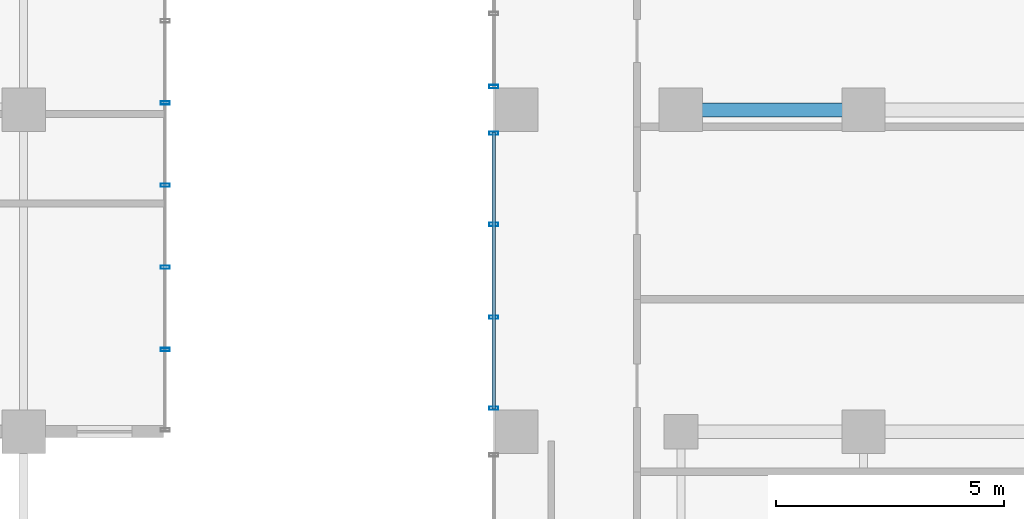
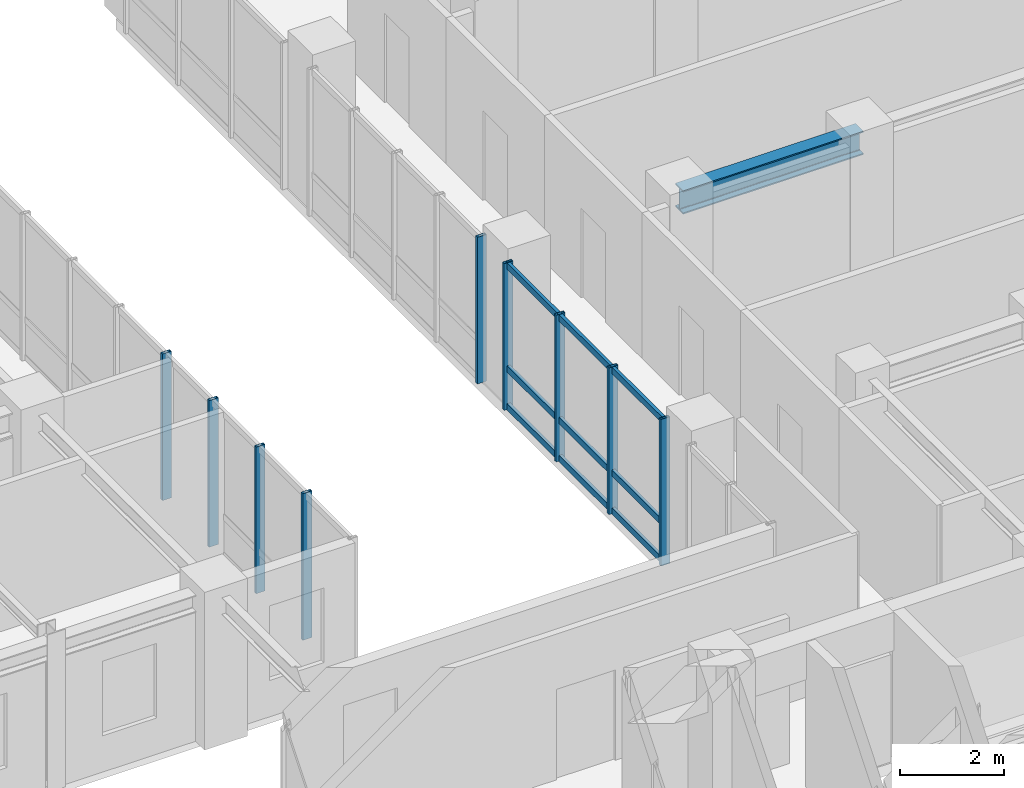
# One storey, part 9 of 24: 12 members, 1 beam, 3 elements without a shape of their own.
"""IFC4 building model written with IfcOpenShell, lengths in metres."""

from ifc_helpers import new_model, si_unit, direction, frame, origin, origin_2d, place, context, subcontext, project, spatial, hollow_rectangle, i_section, extrude, source, transform, mapped, material, layer, layer_set, material_profile, profile_set, type_object, element, aggregate, save


model = new_model("IFC4")

# Units and contexts
model_context = context("Model", 3, precision=1e-05, world=origin(), true_north=direction((0.0, 1.0)))
body_context = subcontext(model_context, "Body", "Model", "MODEL_VIEW")
ifc_project = project(units=[si_unit("LENGTHUNIT", "METRE"), si_unit("AREAUNIT", "SQUARE_METRE"), si_unit("VOLUMEUNIT", "CUBIC_METRE"), si_unit("PLANEANGLEUNIT", "RADIAN"), si_unit("MASSUNIT", "GRAM", prefix="KILO")], contexts=[model_context])

# Site, building, storey
site_placement = place(None, origin())
site = spatial("IfcSite", under=ifc_project, at=site_placement, CompositionType="ELEMENT")
building_placement = place(site_placement, origin())
building = spatial("IfcBuilding", under=site, at=building_placement, Name="Kaliganga Portal Commons", CompositionType="ELEMENT")
storey_placement = place(building_placement, frame((0.0, 0.0, 242.5)))
storey = spatial("IfcBuildingStorey", under=building, at=storey_placement, Name="L62", CompositionType="ELEMENT", Elevation=242.5)

# Beam
ifc_material_1 = material(Name="Structural steel S355J2", Category="steel")
ifc_material_profile_1 = material_profile(ifc_material_1, i_section(OverallWidth=0.300048828125, OverallDepth=0.550048828125, WebThickness=0.014892578125, FlangeThickness=0.029052734375, FilletRadius=0.027099609375, at=origin_2d()), Name="HE 550 B")
ifc_profile_set_1 = profile_set([ifc_material_profile_1], Name="Structural steel S355J2 wide-flange")
beam_type = type_object("IfcBeamType", Name="BM-GIRD-550", PredefinedType="USERDEFINED", material=ifc_profile_set_1)
shared_shape_1 = source(origin(), body_context, "Body", "SweptSolid", [
    extrude(i_section(OverallWidth=0.300048828125, OverallDepth=0.550048828125, WebThickness=0.014892578125, FlangeThickness=0.029052734375, FilletRadius=0.027099609375, at=origin_2d()), origin(), (0.0, 0.0, 1.0), 4.0),
])
beam_placement = place(storey_placement, frame((50.39990234375, 28.64990234375, 3.1650390625), z_axis=(1.0, 0.0, 0.0), x_axis=(0.0, 1.0, 0.0)))
element("IfcBeam", 1, at=beam_placement, inside=storey, type_object=beam_type, Name="BM G L62 BKE286 1", ObjectType="GIRDER", PredefinedType="USERDEFINED", context=body_context, shape_type="MappedRepresentation", body=[
    mapped(shared_shape_1, transform((0.0, 0.0, 0.0), x_axis=(1.0, 0.0, 0.0), y_axis=(0.0, 1.0, 0.0), z_axis=(0.0, 0.0, 1.0), scale=1.0)),
])

# Curtain wall, members
ifc_material_2 = material(Name="Anodized Aluminium and Laminated Low-E Glass", Category="aluminium")
ifc_layer = layer(ifc_material_2, 0.239990234375)
ifc_layer_set = layer_set([ifc_layer], Name="Anodized Aluminium and Laminated Low-E Glass")
curtain_wall_type = type_object("IfcCurtainWallType", Name="CW-SYS-04", PredefinedType="NOTDEFINED", material=ifc_layer_set)
curtain_wall_1_placement = place(storey_placement, origin())
curtain_wall_1 = element("IfcCurtainWall", 2, at=curtain_wall_1_placement, inside=storey, type_object=curtain_wall_type, Name="CW 04 L62 P1E01S1", PredefinedType="NOTDEFINED")
ifc_material_3 = material(Name="Dark Bronze Anodized Aluminium", Category="aluminium")
ifc_material_profile_2 = material_profile(ifc_material_3, hollow_rectangle(XDim=0.070068359375, YDim=0.199951171875, WallThickness=0.00390625, at=origin_2d()), Name="ALU MULL 70x200x4")
ifc_profile_set_2 = profile_set([ifc_material_profile_2], Name="Dark Bronze Anodized Aluminium")
member_type_1 = type_object("IfcMemberType", Name="CW-MUL-220", PredefinedType="MULLION", material=ifc_profile_set_2)
shared_shape_2 = source(origin(), body_context, "Body", "SweptSolid", [
    extrude(hollow_rectangle(XDim=0.070068359375, YDim=0.199951171875, WallThickness=0.00390625, at=origin_2d()), origin(), (0.0, 0.0, 1.0), 3.43994140625),
])
member_1_placement = place(storey_placement, frame((39.10009765625, 23.39990234375, 0.0), z_axis=(0.0, 0.0, 1.0), x_axis=(0.0, 1.0, 0.0)))
member_1 = element("IfcMember", 3, at=member_1_placement, type_object=member_type_1, Name="CW:04:L62:P1E01S1 Mullion 01", PredefinedType="MULLION", context=body_context, shape_type="MappedRepresentation", body=[
    mapped(shared_shape_2, transform((0.0, 0.0, 0.0), x_axis=(1.0, 0.0, 0.0), y_axis=(0.0, 1.0, 0.0), z_axis=(0.0, 0.0, 1.0), scale=1.0)),
])
member_2_placement = place(storey_placement, frame((39.10009765625, 25.199951171875, 0.0), z_axis=(0.0, 0.0, 1.0), x_axis=(0.0, 1.0, 0.0)))
member_2 = element("IfcMember", 4, at=member_2_placement, type_object=member_type_1, Name="CW:04:L62:P1E01S1 Mullion 02", PredefinedType="MULLION", context=body_context, shape_type="MappedRepresentation", body=[
    mapped(shared_shape_2, transform((0.0, 0.0, 0.0), x_axis=(1.0, 0.0, 0.0), y_axis=(0.0, 1.0, 0.0), z_axis=(0.0, 0.0, 1.0), scale=1.0)),
])
member_3_placement = place(storey_placement, frame((39.10009765625, 27.0, 0.0), z_axis=(0.0, 0.0, 1.0), x_axis=(0.0, 1.0, 0.0)))
member_3 = element("IfcMember", 5, at=member_3_placement, type_object=member_type_1, Name="CW:04:L62:P1E01S1 Mullion 03", PredefinedType="MULLION", context=body_context, shape_type="MappedRepresentation", body=[
    mapped(shared_shape_2, transform((0.0, 0.0, 0.0), x_axis=(1.0, 0.0, 0.0), y_axis=(0.0, 1.0, 0.0), z_axis=(0.0, 0.0, 1.0), scale=1.0)),
])
member_4_placement = place(storey_placement, frame((39.10009765625, 28.800048828125, 0.0), z_axis=(0.0, 0.0, 1.0), x_axis=(0.0, 1.0, 0.0)))
member_4 = element("IfcMember", 6, at=member_4_placement, type_object=member_type_1, Name="CW:04:L62:P1E01S1 Mullion 04", PredefinedType="MULLION", context=body_context, shape_type="MappedRepresentation", body=[
    mapped(shared_shape_2, transform((0.0, 0.0, 0.0), x_axis=(1.0, 0.0, 0.0), y_axis=(0.0, 1.0, 0.0), z_axis=(0.0, 0.0, 1.0), scale=1.0)),
])
aggregate(curtain_wall_1, [member_1, member_2, member_3, member_4])

# Curtain wall, member
curtain_wall_2_placement = place(storey_placement, origin())
curtain_wall_2 = element("IfcCurtainWall", 7, at=curtain_wall_2_placement, inside=storey, type_object=curtain_wall_type, Name="CW 04 L62 P2E07S2", PredefinedType="NOTDEFINED")
member_5_placement = place(storey_placement, frame((46.300048828125, 29.160888671875, 0.0), z_axis=(0.0, 0.0, 1.0), x_axis=(0.0, -1.0, 0.0)))
member_5 = element("IfcMember", 8, at=member_5_placement, type_object=member_type_1, Name="CW:04:L62:P2E07S2 Mullion 04", PredefinedType="MULLION", context=body_context, shape_type="MappedRepresentation", body=[
    mapped(shared_shape_2, transform((0.0, 0.0, 0.0), x_axis=(1.0, 0.0, 0.0), y_axis=(0.0, 1.0, 0.0), z_axis=(0.0, 0.0, 1.0), scale=1.0)),
])
aggregate(curtain_wall_2, [member_5])

# Curtain wall, members
curtain_wall_3_placement = place(storey_placement, origin())
curtain_wall_3 = element("IfcCurtainWall", 9, at=curtain_wall_3_placement, inside=storey, type_object=curtain_wall_type, Name="CW 04 L62 P2E07S3", PredefinedType="NOTDEFINED")
member_6_placement = place(storey_placement, frame((46.300048828125, 28.138916015625, 0.0), z_axis=(0.0, 0.0, 1.0), x_axis=(0.0, -1.0, 0.0)))
member_6 = element("IfcMember", 10, at=member_6_placement, type_object=member_type_1, Name="CW:04:L62:P2E07S3 Mullion 00", PredefinedType="MULLION", context=body_context, shape_type="MappedRepresentation", body=[
    mapped(shared_shape_2, transform((0.0, 0.0, 0.0), x_axis=(1.0, 0.0, 0.0), y_axis=(0.0, 1.0, 0.0), z_axis=(0.0, 0.0, 1.0), scale=1.0)),
])
member_7_placement = place(storey_placement, frame((46.300048828125, 26.141357421875, 0.0), z_axis=(0.0, 0.0, 1.0), x_axis=(0.0, -1.0, 0.0)))
member_7 = element("IfcMember", 11, at=member_7_placement, type_object=member_type_1, Name="CW:04:L62:P2E07S3 Mullion 01", PredefinedType="MULLION", context=body_context, shape_type="MappedRepresentation", body=[
    mapped(shared_shape_2, transform((0.0, 0.0, 0.0), x_axis=(1.0, 0.0, 0.0), y_axis=(0.0, 1.0, 0.0), z_axis=(0.0, 0.0, 1.0), scale=1.0)),
])
member_8_placement = place(storey_placement, frame((46.300048828125, 24.108642578125, 0.0), z_axis=(0.0, 0.0, 1.0), x_axis=(0.0, -1.0, 0.0)))
member_8 = element("IfcMember", 12, at=member_8_placement, type_object=member_type_1, Name="CW:04:L62:P2E07S3 Mullion 02", PredefinedType="MULLION", context=body_context, shape_type="MappedRepresentation", body=[
    mapped(shared_shape_2, transform((0.0, 0.0, 0.0), x_axis=(1.0, 0.0, 0.0), y_axis=(0.0, 1.0, 0.0), z_axis=(0.0, 0.0, 1.0), scale=1.0)),
])
member_9_placement = place(storey_placement, frame((46.300048828125, 22.111083984375, 0.0), z_axis=(0.0, 0.0, 1.0), x_axis=(0.0, -1.0, 0.0)))
member_9 = element("IfcMember", 13, at=member_9_placement, type_object=member_type_1, Name="CW:04:L62:P2E07S3 Mullion 03", PredefinedType="MULLION", context=body_context, shape_type="MappedRepresentation", body=[
    mapped(shared_shape_2, transform((0.0, 0.0, 0.0), x_axis=(1.0, 0.0, 0.0), y_axis=(0.0, 1.0, 0.0), z_axis=(0.0, 0.0, 1.0), scale=1.0)),
])
ifc_material_profile_3 = material_profile(ifc_material_3, hollow_rectangle(XDim=0.070068359375, YDim=0.14990234375, WallThickness=0.00341796875, at=origin_2d()), Name="ALU TRAN 70x150x3.5")
ifc_profile_set_3 = profile_set([ifc_material_profile_3], Name="Dark Bronze Anodized Aluminium")
member_type_2 = type_object("IfcMemberType", Name="CW-TRN-150", PredefinedType="USERDEFINED", material=ifc_profile_set_3)
shared_shape_3 = source(origin(), body_context, "Body", "SweptSolid", [
    extrude(hollow_rectangle(XDim=0.070068359375, YDim=0.14990234375, WallThickness=0.00341796875, at=origin_2d()), origin(), (0.0, 0.0, 1.0), 6.05810546875),
])
member_10_placement = place(storey_placement, frame((46.300048828125, 28.154052734375, 0.06005859375), z_axis=(0.0, -1.0, 0.0), x_axis=(1.0, 0.0, 0.0)))
member_10 = element("IfcMember", 14, at=member_10_placement, type_object=member_type_2, Name="CW:04:L62:P2E07S3 Transom 1", ObjectType="TRANSOM", PredefinedType="USERDEFINED", context=body_context, shape_type="MappedRepresentation", body=[
    mapped(shared_shape_3, transform((0.0, 0.0, 0.0), x_axis=(1.0, 0.0, 0.0), y_axis=(0.0, 1.0, 0.0), z_axis=(0.0, 0.0, 1.0), scale=1.0)),
])
member_11_placement = place(storey_placement, frame((46.300048828125, 28.154052734375, 0.949951171875), z_axis=(0.0, -1.0, 0.0), x_axis=(1.0, 0.0, 0.0)))
member_11 = element("IfcMember", 15, at=member_11_placement, type_object=member_type_2, Name="CW:04:L62:P2E07S3 Transom 2", ObjectType="TRANSOM", PredefinedType="USERDEFINED", context=body_context, shape_type="MappedRepresentation", body=[
    mapped(shared_shape_3, transform((0.0, 0.0, 0.0), x_axis=(1.0, 0.0, 0.0), y_axis=(0.0, 1.0, 0.0), z_axis=(0.0, 0.0, 1.0), scale=1.0)),
])
member_12_placement = place(storey_placement, frame((46.300048828125, 28.154052734375, 3.360107421875), z_axis=(0.0, -1.0, 0.0), x_axis=(1.0, 0.0, 0.0)))
member_12 = element("IfcMember", 16, at=member_12_placement, type_object=member_type_2, Name="CW:04:L62:P2E07S3 Transom 3", ObjectType="TRANSOM", PredefinedType="USERDEFINED", context=body_context, shape_type="MappedRepresentation", body=[
    mapped(shared_shape_3, transform((0.0, 0.0, 0.0), x_axis=(1.0, 0.0, 0.0), y_axis=(0.0, 1.0, 0.0), z_axis=(0.0, 0.0, 1.0), scale=1.0)),
])
aggregate(curtain_wall_3, [member_6, member_7, member_8, member_9, member_10, member_11, member_12])

save(model, "model.ifc")
